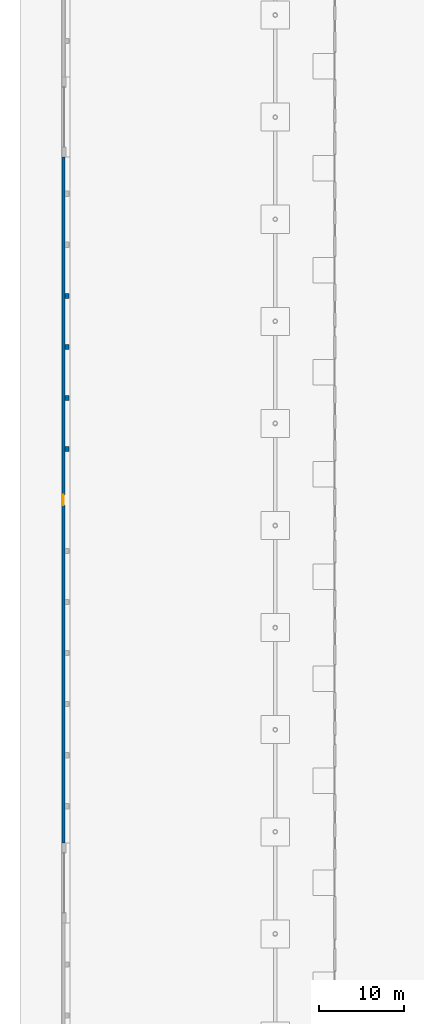
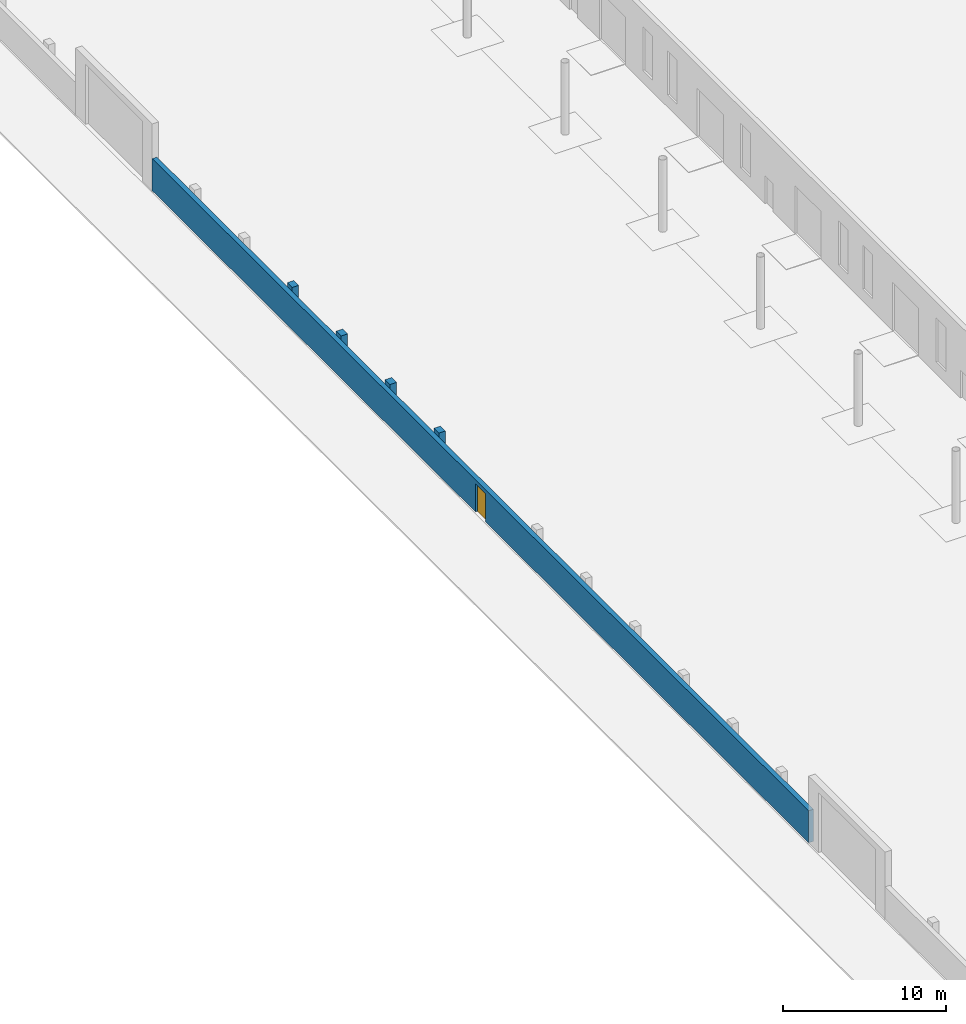
# One storey, part 61 of 132: 5 walls, 1 door, 1 opening.
"""IFC4 building model written with IfcOpenShell, lengths in metres."""

from ifc_helpers import new_model, si_unit, direction, frame, frame_2d, origin, place, context, subcontext, project, spatial, rectangle, extrude, material, layer, layer_set, type_object, element, fill, save


model = new_model("IFC4")

# Units and contexts
model_context = context("Model", 3, precision=1e-05, world=origin(), true_north=direction((0.0, 1.0)))
body_context = subcontext(model_context, "Body", "Model", "MODEL_VIEW")
ifc_project = project(units=[si_unit("LENGTHUNIT", "METRE"), si_unit("AREAUNIT", "SQUARE_METRE"), si_unit("VOLUMEUNIT", "CUBIC_METRE"), si_unit("PLANEANGLEUNIT", "RADIAN"), si_unit("MASSUNIT", "GRAM", prefix="KILO")], contexts=[model_context])

# Site, building, storey
site_placement = place(None, origin())
site = spatial("IfcSite", under=ifc_project, at=site_placement, CompositionType="ELEMENT")
building_placement = place(site_placement, origin())
building = spatial("IfcBuilding", under=site, at=building_placement, Name="Ravi Spectrum Wholesale Market", CompositionType="ELEMENT")
storey_placement = place(building_placement, origin())
storey = spatial("IfcBuildingStorey", under=building, at=storey_placement, Name="L00", CompositionType="ELEMENT", Elevation=0.0)

# Wall, opening, door
ifc_material_1 = material(Name="Facing brickwork", Category="masonry")
ifc_layer_1 = layer(ifc_material_1, 0.340087890625)
ifc_layer_set_1 = layer_set([ifc_layer_1], Name="Facing brickwork")
wall_type_1 = type_object("IfcWallType", Name="Boundary wall 340 facing brick", PredefinedType="SOLIDWALL", material=ifc_layer_set_1)
wall_placement = place(storey_placement, frame((5.1201171875, 64.699951171875, 0.0), z_axis=(0.0, 0.0, 1.0), x_axis=(0.0, 1.0, 0.0)))
wall = element("IfcWall", 1, at=wall_placement, inside=storey, type_object=wall_type_1, Name="ST-WL-L00-011", PredefinedType="SOLIDWALL", context=body_context, shape_type="SweptSolid", body=[
    extrude(rectangle(XDim=80.60009765625, YDim=0.340087890625, at=frame_2d((40.300048828125, 0.0))), origin(), (0.0, 0.0, 1.0), 2.39990234375),
])
opening_placement = place(wall_placement, frame((39.699951171875, 0.0, 0.0)))
opening = element("IfcOpeningElement", 2, at=opening_placement, cuts=wall, Name="Opening D752", PredefinedType="OPENING", context=body_context, shape_type="SweptSolid", body=[
    extrude(rectangle(XDim=1.199951171875, YDim=2.10009765625, at=frame_2d((0.60009765625, 1.050048828125))), frame((0.0, 0.179931640625, 0.0), z_axis=(0.0, -1.0, 0.0), x_axis=(1.0, 0.0, 0.0)), (0.0, 0.0, 1.0), 0.360107421875),
])
ifc_material_2 = material(Name="Steel gate", Category="steel")
door_type = type_object("IfcDoorType", Name="Pedestrian gate 1200 x 2100", OperationType="SINGLE_SWING_LEFT", PredefinedType="GATE", material=ifc_material_2)
door_placement = place(opening_placement, origin())
door = element("IfcDoor", 3, at=door_placement, inside=storey, type_object=door_type, Name="Door D752", OperationType="SINGLE_SWING_RIGHT", OverallHeight=2.10009765625, OverallWidth=1.199951171875, PredefinedType="GATE", context=body_context, shape_type="SweptSolid", body=[
    extrude(rectangle(XDim=1.199951171875, YDim=2.10009765625, at=frame_2d((0.60009765625, 1.050048828125))), frame((0.0, 0.02490234375, 0.0), z_axis=(0.0, -1.0, 0.0), x_axis=(1.0, 0.0, 0.0)), (0.0, 0.0, 1.0), 0.050048828125),
])
fill(opening, door)

# Walls
ifc_material_3 = material(Name="Clinker brickwork", Category="masonry")
ifc_layer_2 = layer(ifc_material_3, 0.4599609375)
ifc_layer_set_2 = layer_set([ifc_layer_2], Name="Clinker brickwork")
wall_type_2 = type_object("IfcWallType", Name="Brick 460 pier wall", PredefinedType="SOLIDWALL", material=ifc_layer_set_2)
for number, where, z_axis, x_axis, name in (
    (4, (5.52001953125, 110.699951171875, 0.0), (0.0, 0.0, 1.0), (0.0, 1.0, 0.0), "ST-WL-L00-018"),
    (5, (5.52001953125, 116.699951171875, 0.0), (0.0, 0.0, 1.0), (0.0, 1.0, 0.0), "ST-WL-L00-019"),
    (6, (5.52001953125, 122.699951171875, 0.0), (0.0, 0.0, 1.0), (0.0, 1.0, 0.0), "ST-WL-L00-020"),
    (7, (5.52001953125, 128.699951171875, 0.0), (0.0, 0.0, 1.0), (0.0, 1.0, 0.0), "ST-WL-L00-021"),
):
    element("IfcWall", number, at=place(storey_placement, frame(where, z_axis=z_axis, x_axis=x_axis)), inside=storey, type_object=wall_type_2, Name=name, PredefinedType="SOLIDWALL", context=body_context, shape_type="SweptSolid", body=[
        extrude(rectangle(XDim=0.60009765625, YDim=0.4599609375, at=frame_2d((0.300048828125, 0.0))), origin(), (0.0, 0.0, 1.0), 2.699951171875),
    ])

save(model, "model.ifc")
